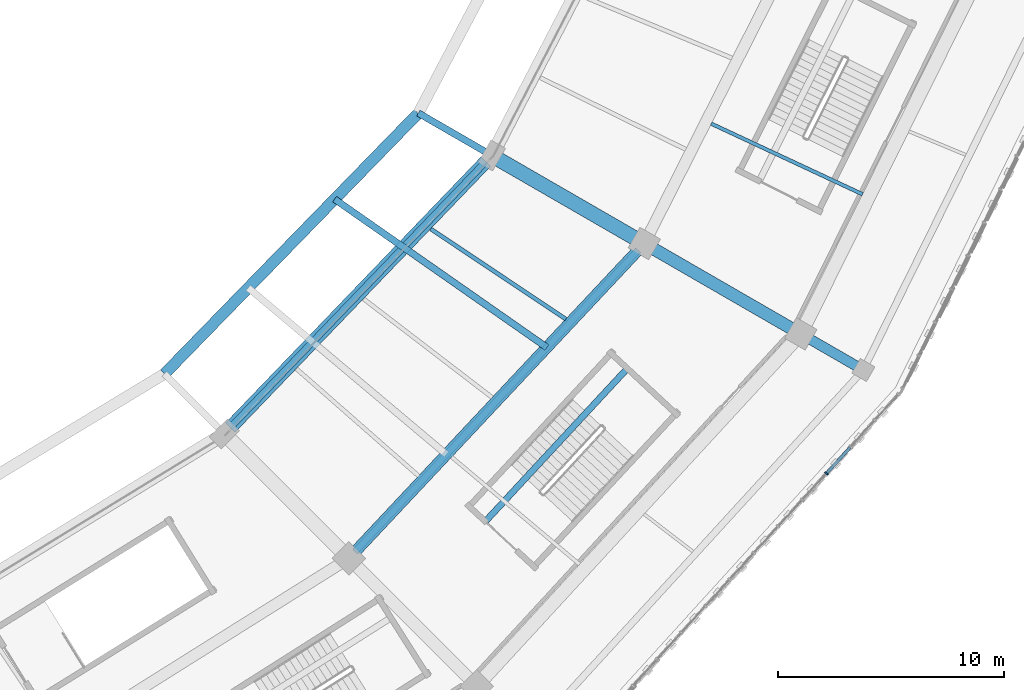
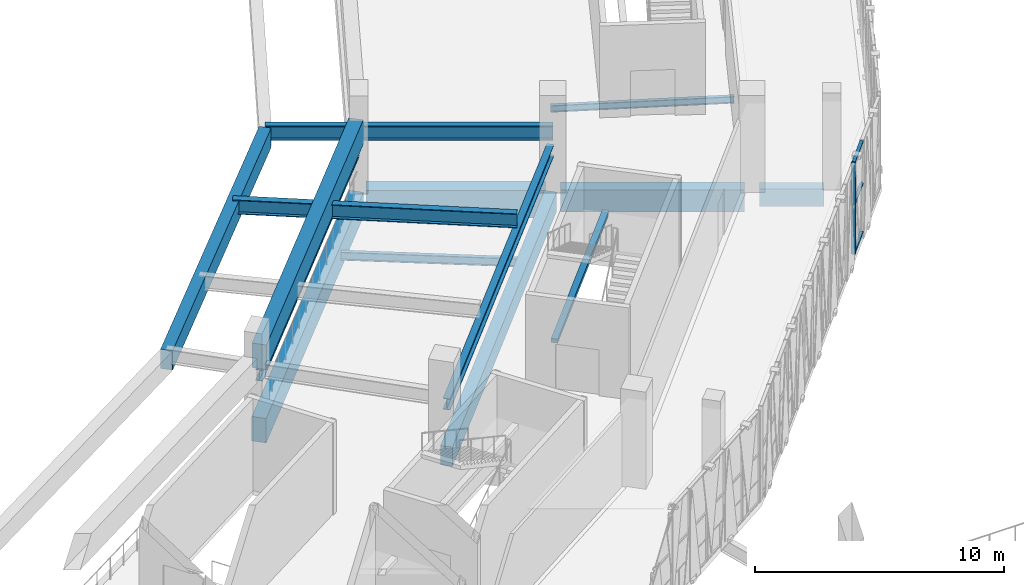
# One storey, part 35 of 179: 14 beams, 4 members, 1 element without a shape of its own.
"""IFC4 building model written with IfcOpenShell, lengths in metres."""

from ifc_helpers import new_model, si_unit, direction, frame, origin, origin_2d, place, context, subcontext, project, spatial, rectangle, i_section, extrude, material, material_profile, profile_set, type_object, element, aggregate, save


model = new_model("IFC4")

# Units and contexts
model_context = context("Model", 3, precision=1e-05, world=origin(), true_north=direction((0.0, 1.0)))
body_context = subcontext(model_context, "Body", "Model", "MODEL_VIEW")
ifc_project = project(units=[si_unit("LENGTHUNIT", "METRE"), si_unit("AREAUNIT", "SQUARE_METRE"), si_unit("VOLUMEUNIT", "CUBIC_METRE"), si_unit("PLANEANGLEUNIT", "RADIAN"), si_unit("MASSUNIT", "GRAM", prefix="KILO")], contexts=[model_context])

# Site, building, storey
site_placement = place(None, origin())
site = spatial("IfcSite", under=ifc_project, at=site_placement, CompositionType="ELEMENT")
building_placement = place(site_placement, origin())
building = spatial("IfcBuilding", under=site, at=building_placement, Name="Zevraka Park Crest Stadium", CompositionType="ELEMENT")
storey_placement = place(building_placement, frame((0.0, 0.0, 10.199951171875)))
storey = spatial("IfcBuildingStorey", under=building, at=storey_placement, Name="L02", CompositionType="ELEMENT", Elevation=10.199951171875)

# Beams
ifc_material_1 = material(Name="Concrete C40/50", Category="concrete")
ifc_material_profile_1 = material_profile(ifc_material_1, rectangle(XDim=0.64990234375, YDim=1.35009765625, at=origin_2d()), Name="RC 1350x650")
ifc_profile_set_1 = profile_set([ifc_material_profile_1], Name="Concrete C40/50")
beam_type_1 = type_object("IfcBeamType", Name="BG01", PredefinedType="BEAM", material=ifc_profile_set_1)
beam_1_placement = place(storey_placement, frame((176.779052734375, 62.10009765625, -0.68505859375), z_axis=(0.866001485781, -0.500041424909, 0.0), x_axis=(0.500041424909, 0.866001485781, 0.0)))
element("IfcBeam", 1, at=beam_1_placement, inside=storey, type_object=beam_type_1, Name="Radial Girder BG01 L02-BC-22", PredefinedType="BEAM", context=body_context, shape_type="SweptSolid", body=[
    extrude(rectangle(XDim=0.64990234375, YDim=1.35009765625, at=origin_2d()), origin(), (0.0, 0.0, 1.0), 7.19970703125),
])
ifc_material_2 = material(Name="Concrete C40/50", Category="concrete")
ifc_material_profile_2 = material_profile(ifc_material_2, rectangle(XDim=0.550048828125, YDim=1.10009765625, at=origin_2d()), Name="RC 1100x550")
ifc_profile_set_2 = profile_set([ifc_material_profile_2], Name="Concrete C40/50")
beam_type_2 = type_object("IfcBeamType", Name="BG02", PredefinedType="BEAM", material=ifc_profile_set_2)
beam_2_placement = place(storey_placement, frame((183.533935546875, 58.199951171875, -0.56005859375), z_axis=(0.86600700885, -0.500031859608, 0.0), x_axis=(0.500031859608, 0.86600700885, 0.0)))
element("IfcBeam", 2, at=beam_2_placement, inside=storey, type_object=beam_type_2, Name="Radial Girder BG02 L02-CD-22", PredefinedType="BEAM", context=body_context, shape_type="SweptSolid", body=[
    extrude(rectangle(XDim=0.550048828125, YDim=1.10009765625, at=origin_2d()), origin(), (0.0, 0.0, 1.0), 7.3994140625),
])
ifc_material_3 = material(Name="Concrete C40/50", Category="concrete")
ifc_material_profile_3 = material_profile(ifc_material_3, rectangle(XDim=0.449951171875, YDim=0.85009765625, at=origin_2d()), Name="RC 850x450")
ifc_profile_set_3 = profile_set([ifc_material_profile_3], Name="Concrete C40/50")
beam_type_3 = type_object("IfcBeamType", Name="BG03", PredefinedType="BEAM", material=ifc_profile_set_3)
beam_3_placement = place(storey_placement, frame((190.4619140625, 54.199951171875, -0.43505859375), z_axis=(0.865950948929, -0.500128937424, 0.0), x_axis=(0.500128937424, 0.865950948929, 0.0)))
element("IfcBeam", 3, at=beam_3_placement, inside=storey, type_object=beam_type_3, Name="Radial Girder BG03 L02-DE-22", PredefinedType="BEAM", context=body_context, shape_type="SweptSolid", body=[
    extrude(rectangle(XDim=0.449951171875, YDim=0.85009765625, at=origin_2d()), origin(), (0.0, 0.0, 1.0), 2.599365234375),
])
ifc_material_4 = material(Name="Steel S355", Category="steel")
ifc_material_profile_4 = material_profile(ifc_material_4, i_section(OverallWidth=0.300048828125, OverallDepth=0.699951171875, WebThickness=0.01708984375, FlangeThickness=0.031982421875, at=origin_2d()), Name="HEB 700")
ifc_profile_set_4 = profile_set([ifc_material_profile_4], Name="Steel S355")
beam_type_4 = type_object("IfcBeamType", Name="BG06", PredefinedType="BEAM", material=ifc_profile_set_4)
beam_4_placement = place(storey_placement, frame((178.9580078125, 53.75, 2.670166015625), z_axis=(-0.819761877341, 0.572704517581, 0.0), x_axis=(-0.572704517581, -0.819761877341, 0.0)))
element("IfcBeam", 4, at=beam_4_placement, inside=storey, type_object=beam_type_4, Name="Upper Tier Vomitory Cantilever Girder BG06 21-V2", PredefinedType="BEAM", context=body_context, shape_type="SweptSolid", body=[
    extrude(i_section(OverallWidth=0.300048828125, OverallDepth=0.699951171875, WebThickness=0.01708984375, FlangeThickness=0.031982421875, at=origin_2d()), origin(), (0.0, 0.0, 1.0), 11.463134765625),
])
beam_5_placement = place(storey_placement, frame((183.27392578125, 58.35009765625, 2.670166015625), z_axis=(-0.866036343161, 0.499981051965, 0.0), x_axis=(-0.499981051965, -0.866036343161, 0.0)))
element("IfcBeam", 5, at=beam_5_placement, inside=storey, type_object=beam_type_4, Name="Upper Tier Back-Spanned Cantilever Girder BG06 22", PredefinedType="BEAM", context=body_context, shape_type="SweptSolid", body=[
    extrude(i_section(OverallWidth=0.300048828125, OverallDepth=0.699951171875, WebThickness=0.01708984375, FlangeThickness=0.031982421875, at=origin_2d()), origin(), (0.0, 0.0, 1.0), 11.55029296875),
])

# Curtain wall, members
ifc_material_5 = material(Name="Anodised architectural aluminium and laminated safety glass", Category="aluminium")
curtain_wall_type = type_object("IfcCurtainWallType", Name="CW08", PredefinedType="NOTDEFINED", material=ifc_material_5)
curtain_wall_placement = place(storey_placement, origin())
curtain_wall = element("IfcCurtainWall", 6, at=curtain_wall_placement, inside=storey, type_object=curtain_wall_type, Name="Unitised Ring Curtain Wall CW08 L02-21", PredefinedType="NOTDEFINED")
ifc_material_6 = material(Name="Anodised architectural aluminium", Category="aluminium")
ifc_material_profile_5 = material_profile(ifc_material_6, rectangle(XDim=0.179931640625, YDim=0.06494140625, at=origin_2d()), Name="ALU MULLION 180x65")
ifc_profile_set_5 = profile_set([ifc_material_profile_5], Name="Anodised architectural aluminium")
member_type_1 = type_object("IfcMemberType", Name="CM02", PredefinedType="MULLION", material=ifc_profile_set_5)
member_1_placement = place(storey_placement, frame((191.34033203125, 48.171875, 0.0), z_axis=(0.0, 0.0, 1.0), x_axis=(-0.739496877097, 0.673159987494, 0.0)))
member_1 = element("IfcMember", 7, at=member_1_placement, type_object=member_type_1, Name="CW08 mullion 12", PredefinedType="MULLION", context=body_context, shape_type="SweptSolid", body=[
    extrude(rectangle(XDim=0.179931640625, YDim=0.06494140625, at=origin_2d()), origin(), (0.0, 0.0, 1.0), 4.5),
])
ifc_material_7 = material(Name="Anodised architectural aluminium", Category="aluminium")
ifc_material_profile_6 = material_profile(ifc_material_7, rectangle(XDim=0.139892578125, YDim=0.06494140625, at=origin_2d()), Name="ALU TRANSOM 140x65")
ifc_profile_set_6 = profile_set([ifc_material_profile_6], Name="Anodised architectural aluminium")
member_type_2 = type_object("IfcMemberType", Name="CT02", PredefinedType="USERDEFINED", material=ifc_profile_set_6)
member_2_placement = place(storey_placement, frame((191.362060546875, 48.19580078125, 0.032470703125), z_axis=(0.673198421242, 0.739461889239, 0.0), x_axis=(-0.739461889239, 0.673198421242, 0.0)))
member_2 = element("IfcMember", 8, at=member_2_placement, type_object=member_type_2, Name="CW08 transom 12.1", ObjectType="TRANSOM", PredefinedType="USERDEFINED", context=body_context, shape_type="SweptSolid", body=[
    extrude(rectangle(XDim=0.139892578125, YDim=0.06494140625, at=origin_2d()), origin(), (0.0, 0.0, 1.0), 1.525390625),
])
member_3_placement = place(storey_placement, frame((191.362060546875, 48.19580078125, 2.400146484375), z_axis=(0.673198421242, 0.739461889239, 0.0), x_axis=(-0.739461889239, 0.673198421242, 0.0)))
member_3 = element("IfcMember", 9, at=member_3_placement, type_object=member_type_2, Name="CW08 transom 12.2", ObjectType="TRANSOM", PredefinedType="USERDEFINED", context=body_context, shape_type="SweptSolid", body=[
    extrude(rectangle(XDim=0.139892578125, YDim=0.06494140625, at=origin_2d()), origin(), (0.0, 0.0, 1.0), 1.525390625),
])
member_4_placement = place(storey_placement, frame((191.362060546875, 48.19580078125, 4.467529296875), z_axis=(0.673198421242, 0.739461889239, 0.0), x_axis=(-0.739461889239, 0.673198421242, 0.0)))
member_4 = element("IfcMember", 10, at=member_4_placement, type_object=member_type_2, Name="CW08 transom 12.3", ObjectType="TRANSOM", PredefinedType="USERDEFINED", context=body_context, shape_type="SweptSolid", body=[
    extrude(rectangle(XDim=0.139892578125, YDim=0.06494140625, at=origin_2d()), origin(), (0.0, 0.0, 1.0), 1.525390625),
])
aggregate(curtain_wall, [member_1, member_2, member_3, member_4])

# Beams
ifc_material_8 = material(Name="Concrete C40/50", Category="concrete")
ifc_material_profile_7 = material_profile(ifc_material_8, rectangle(XDim=0.60009765625, YDim=1.199951171875, at=origin_2d()), Name="RC 1200x600")
ifc_profile_set_7 = profile_set([ifc_material_profile_7], Name="Concrete C40/50")
beam_type_5 = type_object("IfcBeamType", Name="RB01", PredefinedType="BEAM", material=ifc_profile_set_7)
beam_6_placement = place(storey_placement, frame((164.94189453125, 50.200927734375, -0.60986328125), z_axis=(0.692852617328, 0.721079226342, 0.0), x_axis=(-0.721079226342, 0.692852617328, 0.0)))
element("IfcBeam", 11, at=beam_6_placement, inside=storey, type_object=beam_type_5, Name="Ring Beam RB01 L02-B-21", PredefinedType="BEAM", context=body_context, shape_type="SweptSolid", body=[
    extrude(rectangle(XDim=0.60009765625, YDim=1.199951171875, at=origin_2d()), origin(), (0.0, 0.0, 1.0), 16.329833984375),
])
beam_7_placement = place(storey_placement, frame((164.969970703125, 50.22998046875, 2.965087890625), z_axis=(0.692842332428, 0.721089108499, 0.0), x_axis=(-0.721089108499, 0.692842332428, 0.0)))
element("IfcBeam", 12, at=beam_7_placement, inside=storey, type_object=beam_type_5, Name="Upper Tier Fulcrum Raker Ring Beam RB01 21", PredefinedType="BEAM", context=body_context, shape_type="SweptSolid", body=[
    extrude(rectangle(XDim=0.60009765625, YDim=1.199951171875, at=origin_2d()), origin(), (0.0, 0.0, 1.0), 16.2490234375),
])
ifc_material_9 = material(Name="Concrete C40/50", Category="concrete")
ifc_material_profile_8 = material_profile(ifc_material_9, rectangle(XDim=0.5, YDim=0.949951171875, at=origin_2d()), Name="RC 950x500")
ifc_profile_set_8 = profile_set([ifc_material_profile_8], Name="Concrete C40/50")
beam_type_6 = type_object("IfcBeamType", Name="RB02", PredefinedType="BEAM", material=ifc_profile_set_8)
beam_8_placement = place(storey_placement, frame((170.455078125, 44.68896484375, -0.48486328125), z_axis=(0.684268936493, 0.729229746068, 0.0), x_axis=(-0.729229746068, 0.684268936493, 0.0)))
element("IfcBeam", 13, at=beam_8_placement, inside=storey, type_object=beam_type_6, Name="Ring Beam RB02 L02-C-21", PredefinedType="BEAM", context=body_context, shape_type="SweptSolid", body=[
    extrude(rectangle(XDim=0.5, YDim=0.949951171875, at=origin_2d()), origin(), (0.0, 0.0, 1.0), 18.353759765625),
])
beam_9_placement = place(storey_placement, frame((162.034912109375, 52.5859375, 2.400146484375), z_axis=(0.697632460191, 0.716455825915, 0.0), x_axis=(-0.716455825915, 0.697632460191, 0.0)))
element("IfcBeam", 14, at=beam_9_placement, inside=storey, type_object=beam_type_6, Name="Upper Tier Front Nose Ring Beam RB02 21", PredefinedType="BEAM", context=body_context, shape_type="SweptSolid", body=[
    extrude(rectangle(XDim=0.5, YDim=0.949951171875, at=origin_2d()), origin(), (0.0, 0.0, 1.0), 16.095947265625),
])
ifc_material_10 = material(Name="Steel S355", Category="steel")
ifc_material_profile_9 = material_profile(ifc_material_10, i_section(OverallWidth=0.300048828125, OverallDepth=0.550048828125, WebThickness=0.014892578125, FlangeThickness=0.029052734375, at=origin_2d()), Name="HEB 550")
ifc_profile_set_9 = profile_set([ifc_material_profile_9], Name="Steel S355")
beam_type_7 = type_object("IfcBeamType", Name="RB04", PredefinedType="BEAM", material=ifc_profile_set_9)
beam_10_placement = place(storey_placement, frame((164.9560546875, 50.215087890625, 2.047119140625), z_axis=(0.692817231213, 0.7211132256, 0.0), x_axis=(-0.7211132256, 0.692817231213, 0.0)))
element("IfcBeam", 15, at=beam_10_placement, inside=storey, type_object=beam_type_7, Name="Vomitory Cantilever Fulcrum Support Beam RB04 21", PredefinedType="BEAM", context=body_context, shape_type="SweptSolid", body=[
    extrude(i_section(OverallWidth=0.300048828125, OverallDepth=0.550048828125, WebThickness=0.014892578125, FlangeThickness=0.029052734375, at=origin_2d()), origin(), (0.0, 0.0, 1.0), 16.289794921875),
])
beam_11_placement = place(storey_placement, frame((170.468994140625, 44.7041015625, 2.047119140625), z_axis=(0.684278978076, 0.729220323471, 0.0), x_axis=(-0.729220323471, 0.684278978076, 0.0)))
element("IfcBeam", 16, at=beam_11_placement, inside=storey, type_object=beam_type_7, Name="Vomitory Cantilever Anchor Support Beam RB04 21", PredefinedType="BEAM", context=body_context, shape_type="SweptSolid", body=[
    extrude(i_section(OverallWidth=0.300048828125, OverallDepth=0.550048828125, WebThickness=0.014892578125, FlangeThickness=0.029052734375, at=origin_2d()), origin(), (0.0, 0.0, 1.0), 18.312744140625),
])
ifc_material_11 = material(Name="Steel S355", Category="steel")
ifc_material_profile_10 = material_profile(ifc_material_11, i_section(OverallWidth=0.159912109375, OverallDepth=0.330078125, WebThickness=0.007568359375, FlangeThickness=0.011474609375, at=origin_2d()), Name="IPE 330")
ifc_profile_set_10 = profile_set([ifc_material_profile_10], Name="Steel S355")
beam_type_8 = type_object("IfcBeamType", Name="SJ08", PredefinedType="JOIST", material=ifc_profile_set_10)
beam_12_placement = place(storey_placement, frame((186.237060546875, 63.656982421875, -0.452880859375), z_axis=(0.906183982971, -0.42288365895, 0.0), x_axis=(0.42288365895, 0.906183982971, 0.0)))
element("IfcBeam", 17, at=beam_12_placement, inside=storey, type_object=beam_type_8, Name="Floor Joist SJ08 L02-CD-22-1", PredefinedType="JOIST", context=body_context, shape_type="SweptSolid", body=[
    extrude(i_section(OverallWidth=0.159912109375, OverallDepth=0.330078125, WebThickness=0.007568359375, FlangeThickness=0.011474609375, at=origin_2d()), origin(), (0.0, 0.0, 1.0), 7.39892578125),
])
ifc_material_12 = material(Name="Steel S355", Category="steel")
ifc_material_profile_11 = material_profile(ifc_material_12, i_section(OverallWidth=0.179931640625, OverallDepth=0.39990234375, WebThickness=0.008544921875, FlangeThickness=0.013427734375, at=origin_2d()), Name="IPE 400")
ifc_profile_set_11 = profile_set([ifc_material_profile_11], Name="Steel S355")
beam_type_9 = type_object("IfcBeamType", Name="SJ09", PredefinedType="JOIST", material=ifc_profile_set_11)
beam_13_placement = place(storey_placement, frame((173.821044921875, 58.993896484375, -0.488037109375), z_axis=(0.831668706104, -0.55527215245, 0.0), x_axis=(0.55527215245, 0.831668706104, 0.0)))
element("IfcBeam", 18, at=beam_13_placement, inside=storey, type_object=beam_type_9, Name="Floor Joist SJ09 L02-BC-21-3", PredefinedType="JOIST", context=body_context, shape_type="SweptSolid", body=[
    extrude(i_section(OverallWidth=0.179931640625, OverallDepth=0.39990234375, WebThickness=0.008544921875, FlangeThickness=0.013427734375, at=origin_2d()), origin(), (0.0, 0.0, 1.0), 7.189208984375),
])
ifc_material_13 = material(Name="Concrete C40/50", Category="concrete")
ifc_material_profile_12 = material_profile(ifc_material_13, rectangle(XDim=0.280029296875, YDim=0.199951171875, at=origin_2d()), Name="RC 200x280")
ifc_profile_set_12 = profile_set([ifc_material_profile_12], Name="Concrete C40/50")
beam_type_10 = type_object("IfcBeamType", Name="SJ13", PredefinedType="JOIST", material=ifc_profile_set_12)
beam_14_placement = place(storey_placement, frame((176.252685546875, 46.062255859375, 2.300048828125), z_axis=(0.680247587728, 0.732982414107, 0.0), x_axis=(-0.732982414107, 0.680247587728, 0.0)))
element("IfcBeam", 19, at=beam_14_placement, inside=storey, type_object=beam_type_10, Name="Stair Upper-Flight Longitudinal Stringer SJ13 ST22-L02", PredefinedType="JOIST", context=body_context, shape_type="SweptSolid", body=[
    extrude(rectangle(XDim=0.280029296875, YDim=0.199951171875, at=origin_2d()), origin(), (0.0, 0.0, 1.0), 9.25),
])

save(model, "model.ifc")
